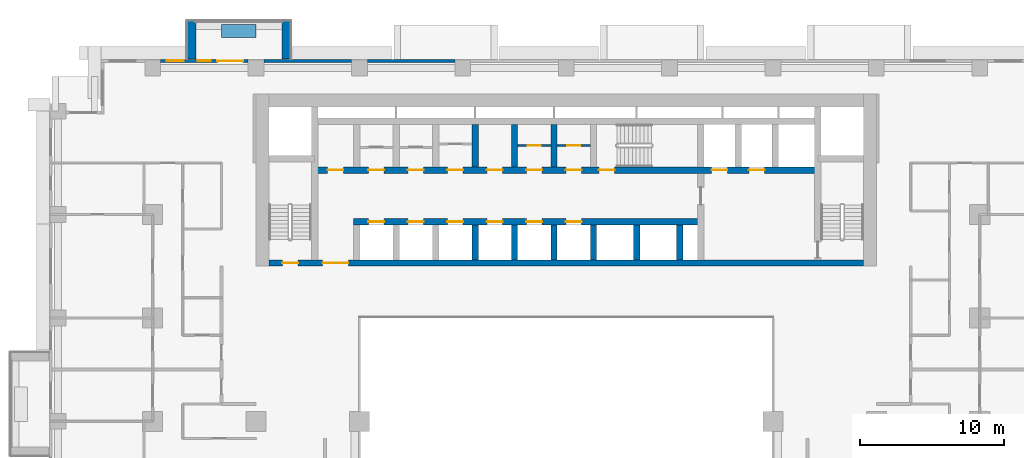
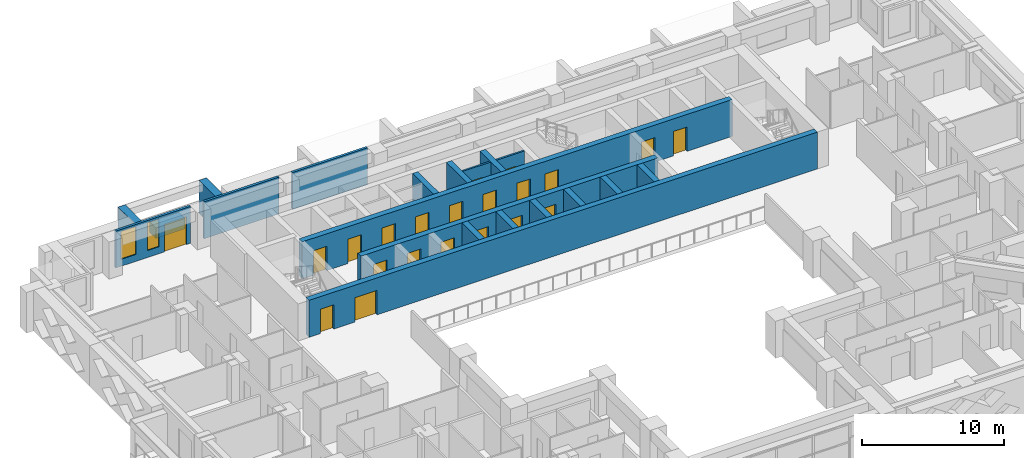
# One storey, part 10 of 17: 21 doors, 20 walls, 2 windows, 23 openings.
"""IFC4 building model written with IfcOpenShell, lengths in metres."""

from ifc_helpers import new_model, si_unit, direction, frame, frame_2d, origin, place, context, subcontext, project, spatial, rectangle, extrude, material, layer, layer_set, type_object, element, fill, save


model = new_model("IFC4")

# Units and contexts
model_context = context("Model", 3, precision=1e-05, world=origin(), true_north=direction((0.0, 1.0)))
body_context = subcontext(model_context, "Body", "Model", "MODEL_VIEW")
ifc_project = project(units=[si_unit("LENGTHUNIT", "METRE"), si_unit("AREAUNIT", "SQUARE_METRE"), si_unit("VOLUMEUNIT", "CUBIC_METRE"), si_unit("PLANEANGLEUNIT", "RADIAN"), si_unit("MASSUNIT", "GRAM", prefix="KILO")], contexts=[model_context])

# Site, building, storey
site_placement = place(None, origin())
site = spatial("IfcSite", under=ifc_project, at=site_placement, CompositionType="ELEMENT")
building_placement = place(site_placement, origin())
building = spatial("IfcBuilding", under=site, at=building_placement, Name="Saffron Iwan Residences", CompositionType="ELEMENT")
storey_placement = place(building_placement, frame((0.0, 0.0, 51.5)))
storey = spatial("IfcBuildingStorey", under=building, at=storey_placement, Name="L12", CompositionType="ELEMENT", Elevation=51.5)

# Walls
ifc_material_1 = material(Name="Concrete C50/60 white painted", Category="concrete")
ifc_layer_1 = layer(ifc_material_1, 0.60009765625)
ifc_layer_set_1 = layer_set([ifc_layer_1], Name="Concrete C50/60 white painted")
wall_type_1 = type_object("IfcWallType", Name="BALCONY FIN 600", PredefinedType="SOLIDWALL", material=ifc_layer_set_1)
for number, where, z_axis, x_axis, name in (
    (1, (30.89990234375, 80.449951171875, 0.0), (0.0, 0.0, 1.0), (0.0, 1.0, 0.0), "Balcony fin L12 F5-3a"),
    (2, (24.300048828125, 80.449951171875, 0.0), (0.0, 0.0, 1.0), (0.0, 1.0, 0.0), "Balcony fin L12 F5-3b"),
):
    element("IfcWall", number, at=place(storey_placement, frame(where, z_axis=z_axis, x_axis=x_axis)), inside=storey, type_object=wall_type_1, Name=name, PredefinedType="SOLIDWALL", context=body_context, shape_type="SweptSolid", body=[
        extrude(rectangle(XDim=2.650146484375, YDim=0.60009765625, at=frame_2d((1.3251953125, 0.0))), origin(), (0.0, 0.0, 1.0), 2.85009765625),
    ])
ifc_material_2 = material(Name="Concrete C35/45 white painted", Category="concrete")
ifc_layer_2 = layer(ifc_material_2, 0.14990234375)
ifc_layer_set_2 = layer_set([ifc_layer_2], Name="Concrete C35/45 white painted")
wall_type_2 = type_object("IfcWallType", Name="BALCONY PLANTER", PredefinedType="SOLIDWALL", material=ifc_layer_set_2)
wall_1_placement = place(storey_placement, frame((28.800048828125, 82.375, 0.0), z_axis=(0.0, 0.0, 1.0), x_axis=(-1.0, 0.0, 0.0)))
element("IfcWall", 3, at=wall_1_placement, inside=storey, type_object=wall_type_2, Name="PLANTER L12 F5-3", PredefinedType="SOLIDWALL", context=body_context, shape_type="SweptSolid", body=[
    extrude(rectangle(XDim=2.400146484375, YDim=0.89990234375, at=frame_2d((1.2001953125, 0.0))), origin(), (0.0, 0.0, 1.0), 0.89990234375),
])

# Wall, opening, door
ifc_material_3 = material(Name="Fire-rated plasterboard partition")
ifc_layer_3 = layer(ifc_material_3, 0.14990234375)
ifc_layer_set_3 = layer_set([ifc_layer_3], Name="Fire-rated plasterboard partition")
wall_type_3 = type_object("IfcWallType", Name="Core partition 150", PredefinedType="PARTITIONING", material=ifc_layer_set_3)
wall_2_placement = place(storey_placement, frame((47.02490234375, 74.39990234375, 0.0), z_axis=(0.0, 0.0, 1.0), x_axis=(1.0, 0.0, 0.0)))
wall_2 = element("IfcWall", 4, at=wall_2_placement, inside=storey, type_object=wall_type_3, Name="Core partition P04", PredefinedType="PARTITIONING", context=body_context, shape_type="SweptSolid", body=[
    extrude(rectangle(XDim=2.300048828125, YDim=0.14990234375, at=frame_2d((1.14990234375, 0.0))), origin(), (0.0, 0.0, 1.0), 3.179931640625),
])
opening_1_placement = place(wall_2_placement, frame((0.699951171875, 0.0, 0.0)))
opening_1 = element("IfcOpeningElement", 5, at=opening_1_placement, cuts=wall_2, Name="Opening SB", PredefinedType="OPENING", context=body_context, shape_type="SweptSolid", body=[
    extrude(rectangle(XDim=0.89990234375, YDim=2.10009765625, at=frame_2d((0.449951171875, 1.050048828125))), frame((0.0, 0.0849609375, 0.0), z_axis=(0.0, -1.0, 0.0), x_axis=(1.0, 0.0, 0.0)), (0.0, 0.0, 1.0), 0.169921875),
])
ifc_material_4 = material(Name="Steel fire door", Category="steel")
door_type_1 = type_object("IfcDoorType", Name="Store door 900", OperationType="NOTDEFINED", PredefinedType="DOOR", material=ifc_material_4)
door_1_placement = place(opening_1_placement, origin())
door_1 = element("IfcDoor", 6, at=door_1_placement, inside=storey, type_object=door_type_1, Name="Door Spares store", OperationType="SINGLE_SWING_LEFT", OverallHeight=2.10009765625, OverallWidth=0.89990234375, PredefinedType="DOOR", context=body_context, shape_type="SweptSolid", body=[
    extrude(rectangle(XDim=0.89990234375, YDim=2.10009765625, at=frame_2d((0.449951171875, 1.050048828125))), frame((0.0, 0.02490234375, 0.0), z_axis=(0.0, -1.0, 0.0), x_axis=(1.0, 0.0, 0.0)), (0.0, 0.0, 1.0), 0.050048828125),
])
fill(opening_1, door_1)

wall_3_placement = place(storey_placement, frame((49.77490234375, 74.39990234375, 0.0), z_axis=(0.0, 0.0, 1.0), x_axis=(1.0, 0.0, 0.0)))
wall_3 = element("IfcWall", 7, at=wall_3_placement, inside=storey, type_object=wall_type_3, Name="Core partition P05", PredefinedType="PARTITIONING", context=body_context, shape_type="SweptSolid", body=[
    extrude(rectangle(XDim=2.300048828125, YDim=0.14990234375, at=frame_2d((1.14990234375, 0.0))), origin(), (0.0, 0.0, 1.0), 3.179931640625),
])
opening_2_placement = place(wall_3_placement, frame((0.699951171875, 0.0, 0.0)))
opening_2 = element("IfcOpeningElement", 8, at=opening_2_placement, cuts=wall_3, Name="Opening SB", PredefinedType="OPENING", context=body_context, shape_type="SweptSolid", body=[
    extrude(rectangle(XDim=0.89990234375, YDim=2.10009765625, at=frame_2d((0.449951171875, 1.050048828125))), frame((0.0, 0.0849609375, 0.0), z_axis=(0.0, -1.0, 0.0), x_axis=(1.0, 0.0, 0.0)), (0.0, 0.0, 1.0), 0.169921875),
])
door_2_placement = place(opening_2_placement, origin())
door_2 = element("IfcDoor", 9, at=door_2_placement, inside=storey, type_object=door_type_1, Name="Door Battery room", OperationType="SINGLE_SWING_RIGHT", OverallHeight=2.10009765625, OverallWidth=0.89990234375, PredefinedType="DOOR", context=body_context, shape_type="SweptSolid", body=[
    extrude(rectangle(XDim=0.89990234375, YDim=2.10009765625, at=frame_2d((0.449951171875, 1.050048828125))), frame((0.0, 0.02490234375, 0.0), z_axis=(0.0, -1.0, 0.0), x_axis=(1.0, 0.0, 0.0)), (0.0, 0.0, 1.0), 0.050048828125),
])
fill(opening_2, door_2)

# Walls
ifc_material_5 = material(Name="Concrete C40/50", Category="concrete")
ifc_layer_4 = layer(ifc_material_5, 0.199951171875)
ifc_layer_set_4 = layer_set([ifc_layer_4], Name="Concrete C40/50")
wall_type_4 = type_object("IfcWallType", Name="EXTERNAL WALL 200", PredefinedType="SOLIDWALL", material=ifc_layer_set_4)
for number, where, z_axis, x_axis, name in (
    (10, (42.64990234375, 80.300048828125, 0.0), (0.0, 0.0, 1.0), (-1.0, 0.0, 0.0), "External wall L12 F5.6"),
    (11, (35.449951171875, 80.300048828125, 0.0), (0.0, 0.0, 1.0), (-1.0, 0.0, 0.0), "External wall L12 F5.7"),
):
    element("IfcWall", number, at=place(storey_placement, frame(where, z_axis=z_axis, x_axis=x_axis)), inside=storey, type_object=wall_type_4, Name=name, PredefinedType="SOLIDWALL", context=body_context, shape_type="SweptSolid", body=[
        extrude(rectangle(XDim=6.099853515625, YDim=0.199951171875, at=frame_2d((3.0498046875, 0.0))), origin(), (0.0, 0.0, 1.0), 3.179931640625),
    ])

# Wall, openings, door, windows
wall_4_placement = place(storey_placement, frame((28.25, 80.300048828125, 0.0), z_axis=(0.0, 0.0, 1.0), x_axis=(-1.0, 0.0, 0.0)))
wall_4 = element("IfcWall", 12, at=wall_4_placement, inside=storey, type_object=wall_type_4, Name="External wall L12 F5.8", PredefinedType="SOLIDWALL", context=body_context, shape_type="SweptSolid", body=[
    extrude(rectangle(XDim=6.10009765625, YDim=0.199951171875, at=frame_2d((3.050048828125, 0.0))), origin(), (0.0, 0.0, 1.0), 3.179931640625),
])
opening_3_placement = place(wall_4_placement, frame((0.35009765625, 0.0, 0.0)))
opening_3 = element("IfcOpeningElement", 13, at=opening_3_placement, cuts=wall_4, Name="Opening BD1", PredefinedType="OPENING", context=body_context, shape_type="SweptSolid", body=[
    extrude(rectangle(XDim=1.800048828125, YDim=2.39990234375, at=frame_2d((0.89990234375, 1.199951171875))), frame((0.0, 0.10986328125, 0.0), z_axis=(0.0, -1.0, 0.0), x_axis=(1.0, 0.0, 0.0)), (0.0, 0.0, 1.0), 0.219970703125),
])
opening_4_placement = place(wall_4_placement, frame((2.60009765625, 0.0, 0.60009765625)))
opening_4 = element("IfcOpeningElement", 14, at=opening_4_placement, cuts=wall_4, Name="Opening W10", PredefinedType="OPENING", context=body_context, shape_type="SweptSolid", body=[
    extrude(rectangle(XDim=0.89990234375, YDim=2.39990234375, at=frame_2d((0.449951171875, 1.199951171875))), frame((0.0, 0.10986328125, 0.0), z_axis=(0.0, -1.0, 0.0), x_axis=(1.0, 0.0, 0.0)), (0.0, 0.0, 1.0), 0.219970703125),
])
opening_5_placement = place(wall_4_placement, frame((4.47509765625, 0.0, 0.60009765625)))
opening_5 = element("IfcOpeningElement", 15, at=opening_5_placement, cuts=wall_4, Name="Opening W3", PredefinedType="OPENING", context=body_context, shape_type="SweptSolid", body=[
    extrude(rectangle(XDim=1.199951171875, YDim=2.39990234375, at=frame_2d((0.60009765625, 1.199951171875))), frame((0.0, 0.10986328125, 0.0), z_axis=(0.0, -1.0, 0.0), x_axis=(1.0, 0.0, 0.0)), (0.0, 0.0, 1.0), 0.219970703125),
])
ifc_material_6 = material(Name="Clear glass, laminated double glazed", Category="glass")
door_type_2 = type_object("IfcDoorType", Name="BALCONY DOOR 1800 x 2400", OperationType="DOUBLE_DOOR_SLIDING", PredefinedType="DOOR", material=ifc_material_6)
door_3_placement = place(opening_3_placement, origin())
door_3 = element("IfcDoor", 16, at=door_3_placement, inside=storey, type_object=door_type_2, Name="Balcony door L12 F5.0", OperationType="DOUBLE_DOOR_SLIDING", OverallHeight=2.39990234375, OverallWidth=1.800048828125, PredefinedType="DOOR", context=body_context, shape_type="SweptSolid", body=[
    extrude(rectangle(XDim=1.800048828125, YDim=2.39990234375, at=frame_2d((0.89990234375, 1.199951171875))), frame((0.0, 0.02490234375, 0.0), z_axis=(0.0, -1.0, 0.0), x_axis=(1.0, 0.0, 0.0)), (0.0, 0.0, 1.0), 0.050048828125),
])
fill(opening_3, door_3)
window_type_1 = type_object("IfcWindowType", Name="WINDOW 1200 x 2400", PartitioningType="SINGLE_PANEL", PredefinedType="WINDOW", material=ifc_material_6)
window_1_placement = place(opening_5_placement, origin())
window_1 = element("IfcWindow", 17, at=window_1_placement, inside=storey, type_object=window_type_1, Name="Window L12 F5.2", OverallHeight=2.39990234375, OverallWidth=1.199951171875, PartitioningType="SINGLE_PANEL", PredefinedType="WINDOW", context=body_context, shape_type="SweptSolid", body=[
    extrude(rectangle(XDim=1.199951171875, YDim=2.39990234375, at=frame_2d((0.60009765625, 1.199951171875))), frame((0.0, 0.030029296875, 0.0), z_axis=(0.0, -1.0, 0.0), x_axis=(1.0, 0.0, 0.0)), (0.0, 0.0, 1.0), 0.06005859375),
])
fill(opening_5, window_1)
window_type_2 = type_object("IfcWindowType", Name="WINDOW 900 x 2400", PartitioningType="SINGLE_PANEL", PredefinedType="WINDOW", material=ifc_material_6)
window_2_placement = place(opening_4_placement, origin())
window_2 = element("IfcWindow", 18, at=window_2_placement, inside=storey, type_object=window_type_2, Name="Window L12 F5.1", OverallHeight=2.39990234375, OverallWidth=0.89990234375, PartitioningType="SINGLE_PANEL", PredefinedType="WINDOW", context=body_context, shape_type="SweptSolid", body=[
    extrude(rectangle(XDim=0.89990234375, YDim=2.39990234375, at=frame_2d((0.449951171875, 1.199951171875))), frame((0.0, 0.030029296875, 0.0), z_axis=(0.0, -1.0, 0.0), x_axis=(1.0, 0.0, 0.0)), (0.0, 0.0, 1.0), 0.06005859375),
])
fill(opening_4, window_2)

# Wall, openings, doors
ifc_material_7 = material(Name="Concrete C60/75", Category="concrete")
ifc_layer_5 = layer(ifc_material_7, 0.449951171875)
ifc_layer_set_5 = layer_set([ifc_layer_5], Name="Concrete C60/75")
wall_type_5 = type_object("IfcWallType", Name="WALL CORE 450 C60/75 3180 HIGH", PredefinedType="SHEAR", material=ifc_layer_set_5)
wall_5_placement = place(storey_placement, frame((29.699951171875, 66.22509765625, 0.0), z_axis=(0.0, 0.0, 1.0), x_axis=(1.0, 0.0, 0.0)))
wall_5 = element("IfcWall", 19, at=wall_5_placement, inside=storey, type_object=wall_type_5, Name="Core wall", PredefinedType="SHEAR", context=body_context, shape_type="SweptSolid", body=[
    extrude(rectangle(XDim=41.400146484375, YDim=0.449951171875, at=frame_2d((20.7001953125, 0.0))), origin(), (0.0, 0.0, 1.0), 3.179931640625),
])
opening_6_placement = place(wall_5_placement, frame((0.925048828125, 0.0, 0.0)))
opening_6 = element("IfcOpeningElement", 20, at=opening_6_placement, cuts=wall_5, Name="Opening SD", PredefinedType="OPENING", context=body_context, shape_type="SweptSolid", body=[
    extrude(rectangle(XDim=1.10009765625, YDim=2.10009765625, at=frame_2d((0.550048828125, 1.050048828125))), frame((0.0, 0.23486328125, 0.0), z_axis=(0.0, -1.0, 0.0), x_axis=(1.0, 0.0, 0.0)), (0.0, 0.0, 1.0), 0.469970703125),
])
opening_7_placement = place(wall_5_placement, frame((3.737548828125, 0.0, 0.0)))
opening_7 = element("IfcOpeningElement", 21, at=opening_7_placement, cuts=wall_5, Name="Opening DD", PredefinedType="OPENING", context=body_context, shape_type="SweptSolid", body=[
    extrude(rectangle(XDim=1.800048828125, YDim=2.10009765625, at=frame_2d((0.89990234375, 1.050048828125))), frame((0.0, 0.23486328125, 0.0), z_axis=(0.0, -1.0, 0.0), x_axis=(1.0, 0.0, 0.0)), (0.0, 0.0, 1.0), 0.469970703125),
])
door_type_3 = type_object("IfcDoorType", Name="Lobby double door 1800", OperationType="DOUBLE_DOOR_SINGLE_SWING", PredefinedType="DOOR", material=ifc_material_4)
door_4_placement = place(opening_7_placement, origin())
door_4 = element("IfcDoor", 22, at=door_4_placement, inside=storey, type_object=door_type_3, Name="Lobby doors", OperationType="DOUBLE_DOOR_SINGLE_SWING", OverallHeight=2.10009765625, OverallWidth=1.800048828125, PredefinedType="DOOR", context=body_context, shape_type="SweptSolid", body=[
    extrude(rectangle(XDim=1.800048828125, YDim=2.10009765625, at=frame_2d((0.89990234375, 1.050048828125))), frame((0.0, 0.02490234375, 0.0), z_axis=(0.0, -1.0, 0.0), x_axis=(1.0, 0.0, 0.0)), (0.0, 0.0, 1.0), 0.050048828125),
])
fill(opening_7, door_4)
door_type_4 = type_object("IfcDoorType", Name="Stair door 1100", OperationType="NOTDEFINED", PredefinedType="DOOR", material=ifc_material_4)
door_5_placement = place(opening_6_placement, origin())
door_5 = element("IfcDoor", 23, at=door_5_placement, inside=storey, type_object=door_type_4, Name="Stair door ST-W", OperationType="SINGLE_SWING_LEFT", OverallHeight=2.10009765625, OverallWidth=1.10009765625, PredefinedType="DOOR", context=body_context, shape_type="SweptSolid", body=[
    extrude(rectangle(XDim=1.10009765625, YDim=2.10009765625, at=frame_2d((0.550048828125, 1.050048828125))), frame((0.0, 0.02490234375, 0.0), z_axis=(0.0, -1.0, 0.0), x_axis=(1.0, 0.0, 0.0)), (0.0, 0.0, 1.0), 0.050048828125),
])
fill(opening_6, door_5)

wall_6_placement = place(storey_placement, frame((35.574951171875, 69.10009765625, 0.0), z_axis=(0.0, 0.0, 1.0), x_axis=(1.0, 0.0, 0.0)))
wall_6 = element("IfcWall", 24, at=wall_6_placement, inside=storey, type_object=wall_type_5, Name="Core wall", PredefinedType="SHEAR", context=body_context, shape_type="SweptSolid", body=[
    extrude(rectangle(XDim=24.199951171875, YDim=0.449951171875, at=frame_2d((12.10009765625, 0.0))), origin(), (0.0, 0.0, 1.0), 3.179931640625),
])
opening_8_placement = place(wall_6_placement, frame((1.050048828125, 0.0, 0.0)))
opening_8 = element("IfcOpeningElement", 25, at=opening_8_placement, cuts=wall_6, Name="Opening LD", PredefinedType="OPENING", context=body_context, shape_type="SweptSolid", body=[
    extrude(rectangle(XDim=1.10009765625, YDim=2.10009765625, at=frame_2d((0.550048828125, 1.050048828125))), frame((0.0, 0.23486328125, 0.0), z_axis=(0.0, -1.0, 0.0), x_axis=(1.0, 0.0, 0.0)), (0.0, 0.0, 1.0), 0.469970703125),
])
opening_9_placement = place(wall_6_placement, frame((3.800048828125, 0.0, 0.0)))
opening_9 = element("IfcOpeningElement", 26, at=opening_9_placement, cuts=wall_6, Name="Opening LD", PredefinedType="OPENING", context=body_context, shape_type="SweptSolid", body=[
    extrude(rectangle(XDim=1.10009765625, YDim=2.10009765625, at=frame_2d((0.550048828125, 1.050048828125))), frame((0.0, 0.23486328125, 0.0), z_axis=(0.0, -1.0, 0.0), x_axis=(1.0, 0.0, 0.0)), (0.0, 0.0, 1.0), 0.469970703125),
])
opening_10_placement = place(wall_6_placement, frame((6.550048828125, 0.0, 0.0)))
opening_10 = element("IfcOpeningElement", 27, at=opening_10_placement, cuts=wall_6, Name="Opening LD", PredefinedType="OPENING", context=body_context, shape_type="SweptSolid", body=[
    extrude(rectangle(XDim=1.10009765625, YDim=2.10009765625, at=frame_2d((0.550048828125, 1.050048828125))), frame((0.0, 0.23486328125, 0.0), z_axis=(0.0, -1.0, 0.0), x_axis=(1.0, 0.0, 0.0)), (0.0, 0.0, 1.0), 0.469970703125),
])
opening_11_placement = place(wall_6_placement, frame((9.300048828125, 0.0, 0.0)))
opening_11 = element("IfcOpeningElement", 28, at=opening_11_placement, cuts=wall_6, Name="Opening LD", PredefinedType="OPENING", context=body_context, shape_type="SweptSolid", body=[
    extrude(rectangle(XDim=1.10009765625, YDim=2.10009765625, at=frame_2d((0.550048828125, 1.050048828125))), frame((0.0, 0.23486328125, 0.0), z_axis=(0.0, -1.0, 0.0), x_axis=(1.0, 0.0, 0.0)), (0.0, 0.0, 1.0), 0.469970703125),
])
opening_12_placement = place(wall_6_placement, frame((12.050048828125, 0.0, 0.0)))
opening_12 = element("IfcOpeningElement", 29, at=opening_12_placement, cuts=wall_6, Name="Opening LD", PredefinedType="OPENING", context=body_context, shape_type="SweptSolid", body=[
    extrude(rectangle(XDim=1.10009765625, YDim=2.10009765625, at=frame_2d((0.550048828125, 1.050048828125))), frame((0.0, 0.23486328125, 0.0), z_axis=(0.0, -1.0, 0.0), x_axis=(1.0, 0.0, 0.0)), (0.0, 0.0, 1.0), 0.469970703125),
])
opening_13_placement = place(wall_6_placement, frame((14.800048828125, 0.0, 0.0)))
opening_13 = element("IfcOpeningElement", 30, at=opening_13_placement, cuts=wall_6, Name="Opening LD", PredefinedType="OPENING", context=body_context, shape_type="SweptSolid", body=[
    extrude(rectangle(XDim=1.10009765625, YDim=2.10009765625, at=frame_2d((0.550048828125, 1.050048828125))), frame((0.0, 0.23486328125, 0.0), z_axis=(0.0, -1.0, 0.0), x_axis=(1.0, 0.0, 0.0)), (0.0, 0.0, 1.0), 0.469970703125),
])
door_type_5 = type_object("IfcDoorType", Name="Lift landing door 1100", OperationType="SLIDING_TO_LEFT", PredefinedType="DOOR", material=ifc_material_4)
door_6_placement = place(opening_8_placement, origin())
door_6 = element("IfcDoor", 31, at=door_6_placement, inside=storey, type_object=door_type_5, Name="Landing doors LR1", OperationType="SLIDING_TO_LEFT", OverallHeight=2.10009765625, OverallWidth=1.10009765625, PredefinedType="DOOR", context=body_context, shape_type="SweptSolid", body=[
    extrude(rectangle(XDim=1.10009765625, YDim=2.10009765625, at=frame_2d((0.550048828125, 1.050048828125))), frame((0.0, 0.02490234375, 0.0), z_axis=(0.0, -1.0, 0.0), x_axis=(1.0, 0.0, 0.0)), (0.0, 0.0, 1.0), 0.050048828125),
])
fill(opening_8, door_6)
door_7_placement = place(opening_9_placement, origin())
door_7 = element("IfcDoor", 32, at=door_7_placement, inside=storey, type_object=door_type_5, Name="Landing doors LR2", OperationType="SLIDING_TO_LEFT", OverallHeight=2.10009765625, OverallWidth=1.10009765625, PredefinedType="DOOR", context=body_context, shape_type="SweptSolid", body=[
    extrude(rectangle(XDim=1.10009765625, YDim=2.10009765625, at=frame_2d((0.550048828125, 1.050048828125))), frame((0.0, 0.02490234375, 0.0), z_axis=(0.0, -1.0, 0.0), x_axis=(1.0, 0.0, 0.0)), (0.0, 0.0, 1.0), 0.050048828125),
])
fill(opening_9, door_7)
door_8_placement = place(opening_10_placement, origin())
door_8 = element("IfcDoor", 33, at=door_8_placement, inside=storey, type_object=door_type_5, Name="Landing doors LR3", OperationType="SLIDING_TO_LEFT", OverallHeight=2.10009765625, OverallWidth=1.10009765625, PredefinedType="DOOR", context=body_context, shape_type="SweptSolid", body=[
    extrude(rectangle(XDim=1.10009765625, YDim=2.10009765625, at=frame_2d((0.550048828125, 1.050048828125))), frame((0.0, 0.02490234375, 0.0), z_axis=(0.0, -1.0, 0.0), x_axis=(1.0, 0.0, 0.0)), (0.0, 0.0, 1.0), 0.050048828125),
])
fill(opening_10, door_8)
door_9_placement = place(opening_11_placement, origin())
door_9 = element("IfcDoor", 34, at=door_9_placement, inside=storey, type_object=door_type_5, Name="Landing doors LR4", OperationType="SLIDING_TO_LEFT", OverallHeight=2.10009765625, OverallWidth=1.10009765625, PredefinedType="DOOR", context=body_context, shape_type="SweptSolid", body=[
    extrude(rectangle(XDim=1.10009765625, YDim=2.10009765625, at=frame_2d((0.550048828125, 1.050048828125))), frame((0.0, 0.02490234375, 0.0), z_axis=(0.0, -1.0, 0.0), x_axis=(1.0, 0.0, 0.0)), (0.0, 0.0, 1.0), 0.050048828125),
])
fill(opening_11, door_9)
door_10_placement = place(opening_12_placement, origin())
door_10 = element("IfcDoor", 35, at=door_10_placement, inside=storey, type_object=door_type_5, Name="Landing doors LR5", OperationType="SLIDING_TO_LEFT", OverallHeight=2.10009765625, OverallWidth=1.10009765625, PredefinedType="DOOR", context=body_context, shape_type="SweptSolid", body=[
    extrude(rectangle(XDim=1.10009765625, YDim=2.10009765625, at=frame_2d((0.550048828125, 1.050048828125))), frame((0.0, 0.02490234375, 0.0), z_axis=(0.0, -1.0, 0.0), x_axis=(1.0, 0.0, 0.0)), (0.0, 0.0, 1.0), 0.050048828125),
])
fill(opening_12, door_10)
door_11_placement = place(opening_13_placement, origin())
door_11 = element("IfcDoor", 36, at=door_11_placement, inside=storey, type_object=door_type_5, Name="Landing doors LR6", OperationType="SLIDING_TO_LEFT", OverallHeight=2.10009765625, OverallWidth=1.10009765625, PredefinedType="DOOR", context=body_context, shape_type="SweptSolid", body=[
    extrude(rectangle(XDim=1.10009765625, YDim=2.10009765625, at=frame_2d((0.550048828125, 1.050048828125))), frame((0.0, 0.02490234375, 0.0), z_axis=(0.0, -1.0, 0.0), x_axis=(1.0, 0.0, 0.0)), (0.0, 0.0, 1.0), 0.050048828125),
])
fill(opening_13, door_11)

wall_7_placement = place(storey_placement, frame((32.875, 72.699951171875, 0.0), z_axis=(0.0, 0.0, 1.0), x_axis=(1.0, 0.0, 0.0)))
wall_7 = element("IfcWall", 37, at=wall_7_placement, inside=storey, type_object=wall_type_5, Name="Core wall", PredefinedType="SHEAR", context=body_context, shape_type="SweptSolid", body=[
    extrude(rectangle(XDim=35.050048828125, YDim=0.449951171875, at=frame_2d((17.52490234375, 0.0))), origin(), (0.0, 0.0, 1.0), 3.179931640625),
])
opening_14_placement = place(wall_7_placement, frame((19.800048828125, 0.0, 0.0)))
opening_14 = element("IfcOpeningElement", 38, at=opening_14_placement, cuts=wall_7, Name="Opening SD", PredefinedType="OPENING", context=body_context, shape_type="SweptSolid", body=[
    extrude(rectangle(XDim=1.10009765625, YDim=2.10009765625, at=frame_2d((0.550048828125, 1.050048828125))), frame((0.0, 0.23486328125, 0.0), z_axis=(0.0, -1.0, 0.0), x_axis=(1.0, 0.0, 0.0)), (0.0, 0.0, 1.0), 0.469970703125),
])
opening_15_placement = place(wall_7_placement, frame((27.64990234375, 0.0, 0.0)))
opening_15 = element("IfcOpeningElement", 39, at=opening_15_placement, cuts=wall_7, Name="Opening LD", PredefinedType="OPENING", context=body_context, shape_type="SweptSolid", body=[
    extrude(rectangle(XDim=1.10009765625, YDim=2.10009765625, at=frame_2d((0.550048828125, 1.050048828125))), frame((0.0, 0.23486328125, 0.0), z_axis=(0.0, -1.0, 0.0), x_axis=(1.0, 0.0, 0.0)), (0.0, 0.0, 1.0), 0.469970703125),
])
opening_16_placement = place(wall_7_placement, frame((30.25, 0.0, 0.0)))
opening_16 = element("IfcOpeningElement", 40, at=opening_16_placement, cuts=wall_7, Name="Opening LD", PredefinedType="OPENING", context=body_context, shape_type="SweptSolid", body=[
    extrude(rectangle(XDim=1.10009765625, YDim=2.10009765625, at=frame_2d((0.550048828125, 1.050048828125))), frame((0.0, 0.23486328125, 0.0), z_axis=(0.0, -1.0, 0.0), x_axis=(1.0, 0.0, 0.0)), (0.0, 0.0, 1.0), 0.469970703125),
])
opening_17_placement = place(wall_7_placement, frame((3.75, 0.0, 0.0)))
opening_17 = element("IfcOpeningElement", 41, at=opening_17_placement, cuts=wall_7, Name="Opening SR", PredefinedType="OPENING", context=body_context, shape_type="SweptSolid", body=[
    extrude(rectangle(XDim=1.10009765625, YDim=2.10009765625, at=frame_2d((0.550048828125, 1.050048828125))), frame((0.0, 0.23486328125, 0.0), z_axis=(0.0, -1.0, 0.0), x_axis=(1.0, 0.0, 0.0)), (0.0, 0.0, 1.0), 0.469970703125),
])
opening_18_placement = place(wall_7_placement, frame((6.5, 0.0, 0.0)))
opening_18 = element("IfcOpeningElement", 42, at=opening_18_placement, cuts=wall_7, Name="Opening SR", PredefinedType="OPENING", context=body_context, shape_type="SweptSolid", body=[
    extrude(rectangle(XDim=1.10009765625, YDim=2.10009765625, at=frame_2d((0.550048828125, 1.050048828125))), frame((0.0, 0.23486328125, 0.0), z_axis=(0.0, -1.0, 0.0), x_axis=(1.0, 0.0, 0.0)), (0.0, 0.0, 1.0), 0.469970703125),
])
opening_19_placement = place(wall_7_placement, frame((9.25, 0.0, 0.0)))
opening_19 = element("IfcOpeningElement", 43, at=opening_19_placement, cuts=wall_7, Name="Opening SR", PredefinedType="OPENING", context=body_context, shape_type="SweptSolid", body=[
    extrude(rectangle(XDim=1.10009765625, YDim=2.10009765625, at=frame_2d((0.550048828125, 1.050048828125))), frame((0.0, 0.23486328125, 0.0), z_axis=(0.0, -1.0, 0.0), x_axis=(1.0, 0.0, 0.0)), (0.0, 0.0, 1.0), 0.469970703125),
])
opening_20_placement = place(wall_7_placement, frame((12.0, 0.0, 0.0)))
opening_20 = element("IfcOpeningElement", 44, at=opening_20_placement, cuts=wall_7, Name="Opening SR", PredefinedType="OPENING", context=body_context, shape_type="SweptSolid", body=[
    extrude(rectangle(XDim=1.10009765625, YDim=2.10009765625, at=frame_2d((0.550048828125, 1.050048828125))), frame((0.0, 0.23486328125, 0.0), z_axis=(0.0, -1.0, 0.0), x_axis=(1.0, 0.0, 0.0)), (0.0, 0.0, 1.0), 0.469970703125),
])
opening_21_placement = place(wall_7_placement, frame((14.75, 0.0, 0.0)))
opening_21 = element("IfcOpeningElement", 45, at=opening_21_placement, cuts=wall_7, Name="Opening SR", PredefinedType="OPENING", context=body_context, shape_type="SweptSolid", body=[
    extrude(rectangle(XDim=1.10009765625, YDim=2.10009765625, at=frame_2d((0.550048828125, 1.050048828125))), frame((0.0, 0.23486328125, 0.0), z_axis=(0.0, -1.0, 0.0), x_axis=(1.0, 0.0, 0.0)), (0.0, 0.0, 1.0), 0.469970703125),
])
opening_22_placement = place(wall_7_placement, frame((17.5, 0.0, 0.0)))
opening_22 = element("IfcOpeningElement", 46, at=opening_22_placement, cuts=wall_7, Name="Opening SR", PredefinedType="OPENING", context=body_context, shape_type="SweptSolid", body=[
    extrude(rectangle(XDim=1.10009765625, YDim=2.10009765625, at=frame_2d((0.550048828125, 1.050048828125))), frame((0.0, 0.23486328125, 0.0), z_axis=(0.0, -1.0, 0.0), x_axis=(1.0, 0.0, 0.0)), (0.0, 0.0, 1.0), 0.469970703125),
])
opening_23_placement = place(wall_7_placement, frame((0.91259765625, 0.0, 0.0)))
opening_23 = element("IfcOpeningElement", 47, at=opening_23_placement, cuts=wall_7, Name="Opening SR", PredefinedType="OPENING", context=body_context, shape_type="SweptSolid", body=[
    extrude(rectangle(XDim=1.10009765625, YDim=2.10009765625, at=frame_2d((0.550048828125, 1.050048828125))), frame((0.0, 0.23486328125, 0.0), z_axis=(0.0, -1.0, 0.0), x_axis=(1.0, 0.0, 0.0)), (0.0, 0.0, 1.0), 0.469970703125),
])
door_12_placement = place(opening_15_placement, origin())
door_12 = element("IfcDoor", 48, at=door_12_placement, inside=storey, type_object=door_type_5, Name="Landing doors FF1", OperationType="SLIDING_TO_LEFT", OverallHeight=2.10009765625, OverallWidth=1.10009765625, PredefinedType="DOOR", context=body_context, shape_type="SweptSolid", body=[
    extrude(rectangle(XDim=1.10009765625, YDim=2.10009765625, at=frame_2d((0.550048828125, 1.050048828125))), frame((0.0, 0.02490234375, 0.0), z_axis=(0.0, -1.0, 0.0), x_axis=(1.0, 0.0, 0.0)), (0.0, 0.0, 1.0), 0.050048828125),
])
fill(opening_15, door_12)
door_13_placement = place(opening_16_placement, origin())
door_13 = element("IfcDoor", 49, at=door_13_placement, inside=storey, type_object=door_type_5, Name="Landing doors FF2", OperationType="SLIDING_TO_LEFT", OverallHeight=2.10009765625, OverallWidth=1.10009765625, PredefinedType="DOOR", context=body_context, shape_type="SweptSolid", body=[
    extrude(rectangle(XDim=1.10009765625, YDim=2.10009765625, at=frame_2d((0.550048828125, 1.050048828125))), frame((0.0, 0.02490234375, 0.0), z_axis=(0.0, -1.0, 0.0), x_axis=(1.0, 0.0, 0.0)), (0.0, 0.0, 1.0), 0.050048828125),
])
fill(opening_16, door_13)
door_type_6 = type_object("IfcDoorType", Name="Service door 1100", OperationType="NOTDEFINED", PredefinedType="DOOR", material=ifc_material_4)
door_14_placement = place(opening_17_placement, origin())
door_14 = element("IfcDoor", 50, at=door_14_placement, inside=storey, type_object=door_type_6, Name="Door Maintenance store", OperationType="SINGLE_SWING_LEFT", OverallHeight=2.10009765625, OverallWidth=1.10009765625, PredefinedType="DOOR", context=body_context, shape_type="SweptSolid", body=[
    extrude(rectangle(XDim=1.10009765625, YDim=2.10009765625, at=frame_2d((0.550048828125, 1.050048828125))), frame((0.0, 0.02490234375, 0.0), z_axis=(0.0, -1.0, 0.0), x_axis=(1.0, 0.0, 0.0)), (0.0, 0.0, 1.0), 0.050048828125),
])
fill(opening_17, door_14)
door_15_placement = place(opening_18_placement, origin())
door_15 = element("IfcDoor", 51, at=door_15_placement, inside=storey, type_object=door_type_6, Name="Door Linen store", OperationType="SINGLE_SWING_LEFT", OverallHeight=2.10009765625, OverallWidth=1.10009765625, PredefinedType="DOOR", context=body_context, shape_type="SweptSolid", body=[
    extrude(rectangle(XDim=1.10009765625, YDim=2.10009765625, at=frame_2d((0.550048828125, 1.050048828125))), frame((0.0, 0.02490234375, 0.0), z_axis=(0.0, -1.0, 0.0), x_axis=(1.0, 0.0, 0.0)), (0.0, 0.0, 1.0), 0.050048828125),
])
fill(opening_18, door_15)
door_16_placement = place(opening_19_placement, origin())
door_16 = element("IfcDoor", 52, at=door_16_placement, inside=storey, type_object=door_type_6, Name="Door Pantry", OperationType="SINGLE_SWING_LEFT", OverallHeight=2.10009765625, OverallWidth=1.10009765625, PredefinedType="DOOR", context=body_context, shape_type="SweptSolid", body=[
    extrude(rectangle(XDim=1.10009765625, YDim=2.10009765625, at=frame_2d((0.550048828125, 1.050048828125))), frame((0.0, 0.02490234375, 0.0), z_axis=(0.0, -1.0, 0.0), x_axis=(1.0, 0.0, 0.0)), (0.0, 0.0, 1.0), 0.050048828125),
])
fill(opening_19, door_16)
door_17_placement = place(opening_20_placement, origin())
door_17 = element("IfcDoor", 53, at=door_17_placement, inside=storey, type_object=door_type_6, Name="Door Electrical room", OperationType="SINGLE_SWING_LEFT", OverallHeight=2.10009765625, OverallWidth=1.10009765625, PredefinedType="DOOR", context=body_context, shape_type="SweptSolid", body=[
    extrude(rectangle(XDim=1.10009765625, YDim=2.10009765625, at=frame_2d((0.550048828125, 1.050048828125))), frame((0.0, 0.02490234375, 0.0), z_axis=(0.0, -1.0, 0.0), x_axis=(1.0, 0.0, 0.0)), (0.0, 0.0, 1.0), 0.050048828125),
])
fill(opening_20, door_17)
door_18_placement = place(opening_21_placement, origin())
door_18 = element("IfcDoor", 54, at=door_18_placement, inside=storey, type_object=door_type_6, Name="Door Luggage store", OperationType="SINGLE_SWING_LEFT", OverallHeight=2.10009765625, OverallWidth=1.10009765625, PredefinedType="DOOR", context=body_context, shape_type="SweptSolid", body=[
    extrude(rectangle(XDim=1.10009765625, YDim=2.10009765625, at=frame_2d((0.550048828125, 1.050048828125))), frame((0.0, 0.02490234375, 0.0), z_axis=(0.0, -1.0, 0.0), x_axis=(1.0, 0.0, 0.0)), (0.0, 0.0, 1.0), 0.050048828125),
])
fill(opening_21, door_18)
door_19_placement = place(opening_22_placement, origin())
door_19 = element("IfcDoor", 55, at=door_19_placement, inside=storey, type_object=door_type_6, Name="Door Refuse store", OperationType="SINGLE_SWING_LEFT", OverallHeight=2.10009765625, OverallWidth=1.10009765625, PredefinedType="DOOR", context=body_context, shape_type="SweptSolid", body=[
    extrude(rectangle(XDim=1.10009765625, YDim=2.10009765625, at=frame_2d((0.550048828125, 1.050048828125))), frame((0.0, 0.02490234375, 0.0), z_axis=(0.0, -1.0, 0.0), x_axis=(1.0, 0.0, 0.0)), (0.0, 0.0, 1.0), 0.050048828125),
])
fill(opening_22, door_19)
door_20_placement = place(opening_23_placement, origin())
door_20 = element("IfcDoor", 56, at=door_20_placement, inside=storey, type_object=door_type_6, Name="Door Caretaker's room", OperationType="SINGLE_SWING_LEFT", OverallHeight=2.10009765625, OverallWidth=1.10009765625, PredefinedType="DOOR", context=body_context, shape_type="SweptSolid", body=[
    extrude(rectangle(XDim=1.10009765625, YDim=2.10009765625, at=frame_2d((0.550048828125, 1.050048828125))), frame((0.0, 0.02490234375, 0.0), z_axis=(0.0, -1.0, 0.0), x_axis=(1.0, 0.0, 0.0)), (0.0, 0.0, 1.0), 0.050048828125),
])
fill(opening_23, door_20)
door_21_placement = place(opening_14_placement, origin())
door_21 = element("IfcDoor", 57, at=door_21_placement, inside=storey, type_object=door_type_4, Name="Stair door ST-C", OperationType="SINGLE_SWING_LEFT", OverallHeight=2.10009765625, OverallWidth=1.10009765625, PredefinedType="DOOR", context=body_context, shape_type="SweptSolid", body=[
    extrude(rectangle(XDim=1.10009765625, YDim=2.10009765625, at=frame_2d((0.550048828125, 1.050048828125))), frame((0.0, 0.02490234375, 0.0), z_axis=(0.0, -1.0, 0.0), x_axis=(1.0, 0.0, 0.0)), (0.0, 0.0, 1.0), 0.050048828125),
])
fill(opening_14, door_21)

# Walls
for number, where, z_axis, x_axis, name in (
    (58, (44.050048828125, 66.449951171875, 0.0), (0.0, 0.0, 1.0), (0.0, 1.0, 0.0), "Core wall"),
    (59, (46.800048828125, 66.449951171875, 0.0), (0.0, 0.0, 1.0), (0.0, 1.0, 0.0), "Core wall"),
    (60, (49.550048828125, 66.449951171875, 0.0), (0.0, 0.0, 1.0), (0.0, 1.0, 0.0), "Core wall"),
    (61, (52.300048828125, 66.449951171875, 0.0), (0.0, 0.0, 1.0), (0.0, 1.0, 0.0), "Core wall"),
    (62, (55.300048828125, 66.449951171875, 0.0), (0.0, 0.0, 1.0), (0.0, 1.0, 0.0), "Core wall"),
    (63, (58.300048828125, 66.449951171875, 0.0), (0.0, 0.0, 1.0), (0.0, 1.0, 0.0), "Core wall"),
):
    element("IfcWall", number, at=place(storey_placement, frame(where, z_axis=z_axis, x_axis=x_axis)), inside=storey, type_object=wall_type_5, Name=name, PredefinedType="SHEAR", context=body_context, shape_type="SweptSolid", body=[
        extrude(rectangle(XDim=2.425048828125, YDim=0.449951171875, at=frame_2d((1.21240234375, 0.0))), origin(), (0.0, 0.0, 1.0), 3.179931640625),
    ])
for number, where, z_axis, x_axis, name in (
    (64, (44.050048828125, 72.925048828125, 0.0), (0.0, 0.0, 1.0), (0.0, 1.0, 0.0), "Core wall"),
    (65, (46.800048828125, 72.925048828125, 0.0), (0.0, 0.0, 1.0), (0.0, 1.0, 0.0), "Core wall"),
    (66, (49.550048828125, 72.925048828125, 0.0), (0.0, 0.0, 1.0), (0.0, 1.0, 0.0), "Core wall"),
):
    element("IfcWall", number, at=place(storey_placement, frame(where, z_axis=z_axis, x_axis=x_axis)), inside=storey, type_object=wall_type_5, Name=name, PredefinedType="SHEAR", context=body_context, shape_type="SweptSolid", body=[
        extrude(rectangle(XDim=2.949951171875, YDim=0.449951171875, at=frame_2d((1.47509765625, 0.0))), origin(), (0.0, 0.0, 1.0), 3.179931640625),
    ])

save(model, "model.ifc")
